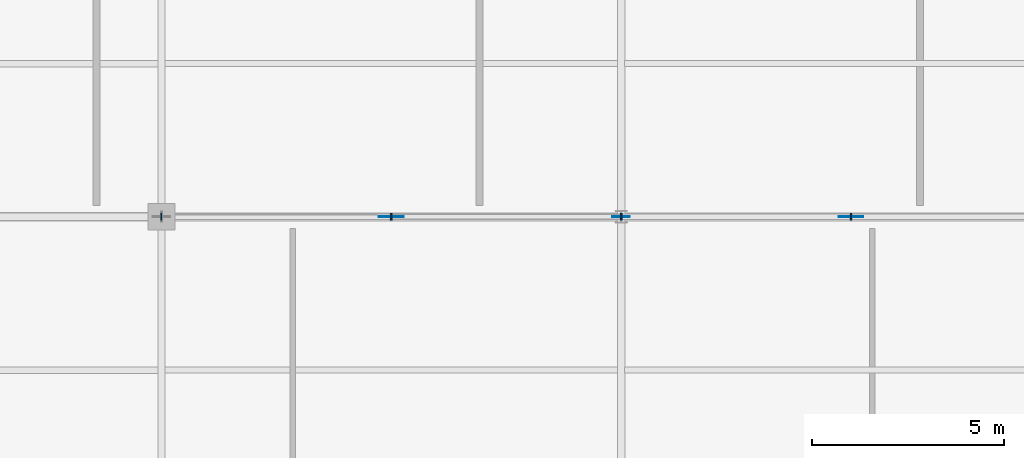
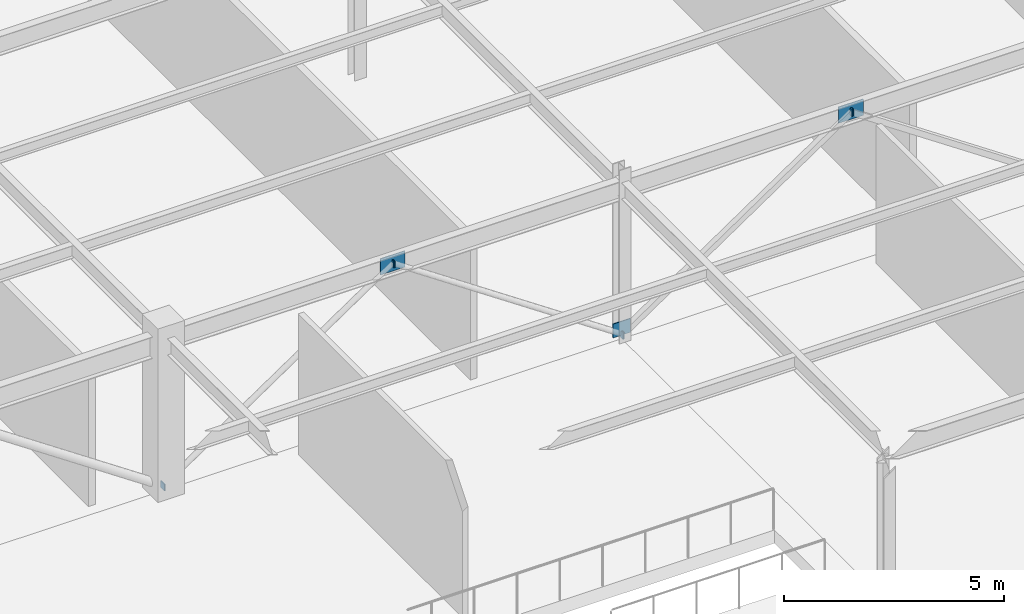
# One storey, part 133 of 199: 10 plates.
"""IFC4 building model written with IfcOpenShell, lengths in metres."""

from ifc_helpers import new_model, si_unit, direction, frame, origin, origin_2d, place, context, subcontext, project, spatial, rectangle, extrude, material, layer, layer_set, type_object, element, save


model = new_model("IFC4")

# Units and contexts
model_context = context("Model", 3, precision=1e-05, world=origin(), true_north=direction((0.0, 1.0)))
body_context = subcontext(model_context, "Body", "Model", "MODEL_VIEW")
ifc_project = project(units=[si_unit("LENGTHUNIT", "METRE"), si_unit("AREAUNIT", "SQUARE_METRE"), si_unit("VOLUMEUNIT", "CUBIC_METRE"), si_unit("PLANEANGLEUNIT", "RADIAN"), si_unit("MASSUNIT", "GRAM", prefix="KILO")], contexts=[model_context])

# Site, building, storey
site_placement = place(None, origin())
site = spatial("IfcSite", under=ifc_project, at=site_placement, CompositionType="ELEMENT")
building_placement = place(site_placement, origin())
building = spatial("IfcBuilding", under=site, at=building_placement, Name="Tarnwether General Hospital", CompositionType="ELEMENT")
storey_placement = place(building_placement, origin())
storey = spatial("IfcBuildingStorey", under=building, at=storey_placement, Name="L00", CompositionType="ELEMENT", Elevation=0.0)

# Plates
ifc_material_1 = material(Name="Steel Grade 350 (350 MPa)", Category="steel")
ifc_layer_1 = layer(ifc_material_1, 0.02001953125)
ifc_layer_set_1 = layer_set([ifc_layer_1], Name="Steel Grade 350 (350 MPa)")
plate_type_1 = type_object("IfcPlateType", Name="PT-GUS1", PredefinedType="USERDEFINED", material=ifc_layer_set_1)
for number, where, z_axis, x_axis, name in (
    (1, (18.0, 45.60009765625, 3.97998046875), (0.0, 0.0, 1.0), (1.0, 0.0, 0.0), "Chevron Brace Apex Gusset Plate 017"),
    (2, (30.0, 45.60009765625, 3.97998046875), (0.0, 0.0, 1.0), (1.0, 0.0, 0.0), "Chevron Brace Apex Gusset Plate 019"),
):
    element("IfcPlate", number, at=place(storey_placement, frame(where, z_axis=z_axis, x_axis=x_axis)), inside=storey, type_object=plate_type_1, Name=name, ObjectType="GUSSET", PredefinedType="USERDEFINED", context=body_context, shape_type="SweptSolid", body=[
        extrude(rectangle(XDim=0.64990234375, YDim=0.02001953125, at=origin_2d()), origin(), (0.0, 0.0, 1.0), 0.449951171875),
    ])
ifc_material_2 = material(Name="Steel Grade 350 (350 MPa)", Category="steel")
ifc_layer_2 = layer(ifc_material_2, 0.02490234375)
ifc_layer_set_2 = layer_set([ifc_layer_2], Name="Steel Grade 350 (350 MPa)")
plate_type_2 = type_object("IfcPlateType", Name="PT-GUS2", PredefinedType="USERDEFINED", material=ifc_layer_set_2)
plate_placement = place(storey_placement, frame((24.0, 45.60009765625, 0.110107421875), z_axis=(0.0, 0.0, 1.0), x_axis=(1.0, 0.0, 0.0)))
element("IfcPlate", 3, at=plate_placement, inside=storey, type_object=plate_type_2, Name="Brace Base Gusset Plate 016", ObjectType="GUSSET", PredefinedType="USERDEFINED", context=body_context, shape_type="SweptSolid", body=[
    extrude(rectangle(XDim=0.4599609375, YDim=0.02490234375, at=origin_2d()), origin(), (0.0, 0.0, 1.0), 0.3798828125),
])
for number, where, z_axis, x_axis, name in (
    (4, (11.98974609375, 45.60009765625, 0.04296875), (0.0, 0.0, 1.0), (1.0, 0.0, 0.0), "Hollow Section Welded End Cap Plate 1195"),
    (5, (18.01025390625, 45.60009765625, 4.1220703125), (0.0, 0.0, 1.0), (1.0, 0.0, 0.0), "Hollow Section Welded End Cap Plate 1196"),
    (6, (24.01025390625, 45.60009765625, 0.04296875), (0.0, 0.0, 1.0), (-1.0, 0.0, 0.0), "Hollow Section Welded End Cap Plate 1197"),
    (7, (17.98974609375, 45.60009765625, 4.1220703125), (0.0, 0.0, 1.0), (-1.0, 0.0, 0.0), "Hollow Section Welded End Cap Plate 1198"),
):
    element("IfcPlate", number, at=place(storey_placement, frame(where, z_axis=z_axis, x_axis=x_axis)), inside=storey, type_object=plate_type_2, Name=name, ObjectType="GUSSET", PredefinedType="USERDEFINED", context=body_context, shape_type="SweptSolid", body=[
        extrude(rectangle(XDim=0.02490234375, YDim=0.179931640625, at=origin_2d()), origin(), (0.0, 0.0, 1.0), 0.179931640625),
    ])
for number, where, z_axis, x_axis, name in (
    (8, (23.98974609375, 45.60009765625, 0.0380859375), (0.0, 0.0, 1.0), (1.0, 0.0, 0.0), "Hollow Section Welded End Cap Plate 1199"),
    (9, (30.01025390625, 45.60009765625, 4.116943359375), (0.0, 0.0, 1.0), (1.0, 0.0, 0.0), "Hollow Section Welded End Cap Plate 1200"),
    (10, (29.98974609375, 45.60009765625, 4.116943359375), (0.0, 0.0, 1.0), (-1.0, 0.0, 0.0), "Hollow Section Welded End Cap Plate 1202"),
):
    element("IfcPlate", number, at=place(storey_placement, frame(where, z_axis=z_axis, x_axis=x_axis)), inside=storey, type_object=plate_type_2, Name=name, ObjectType="GUSSET", PredefinedType="USERDEFINED", context=body_context, shape_type="SweptSolid", body=[
        extrude(rectangle(XDim=0.02490234375, YDim=0.18994140625, at=origin_2d()), origin(), (0.0, 0.0, 1.0), 0.18994140625),
    ])

save(model, "model.ifc")
